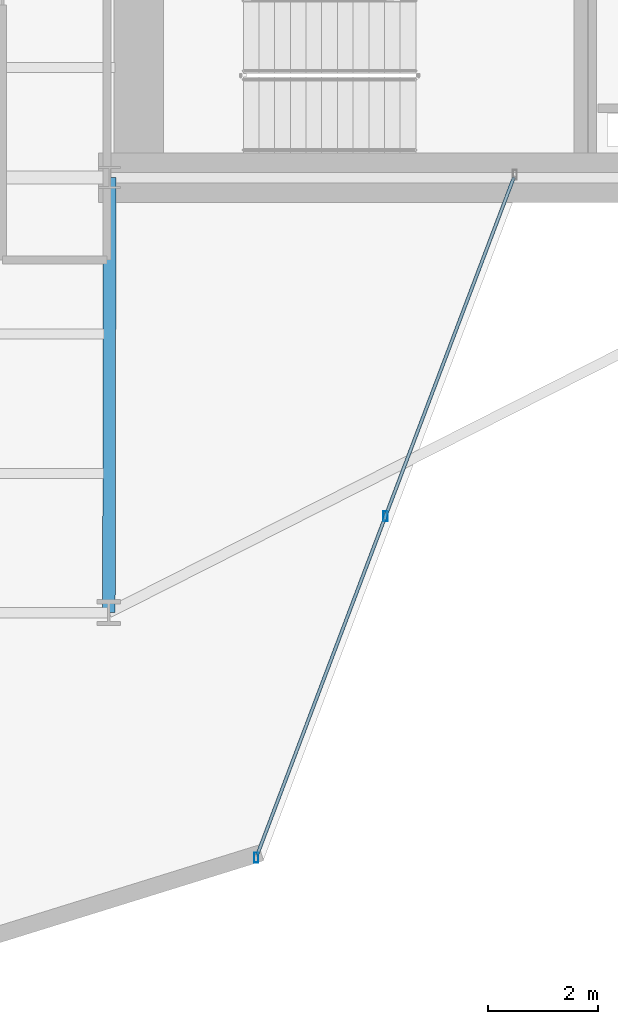
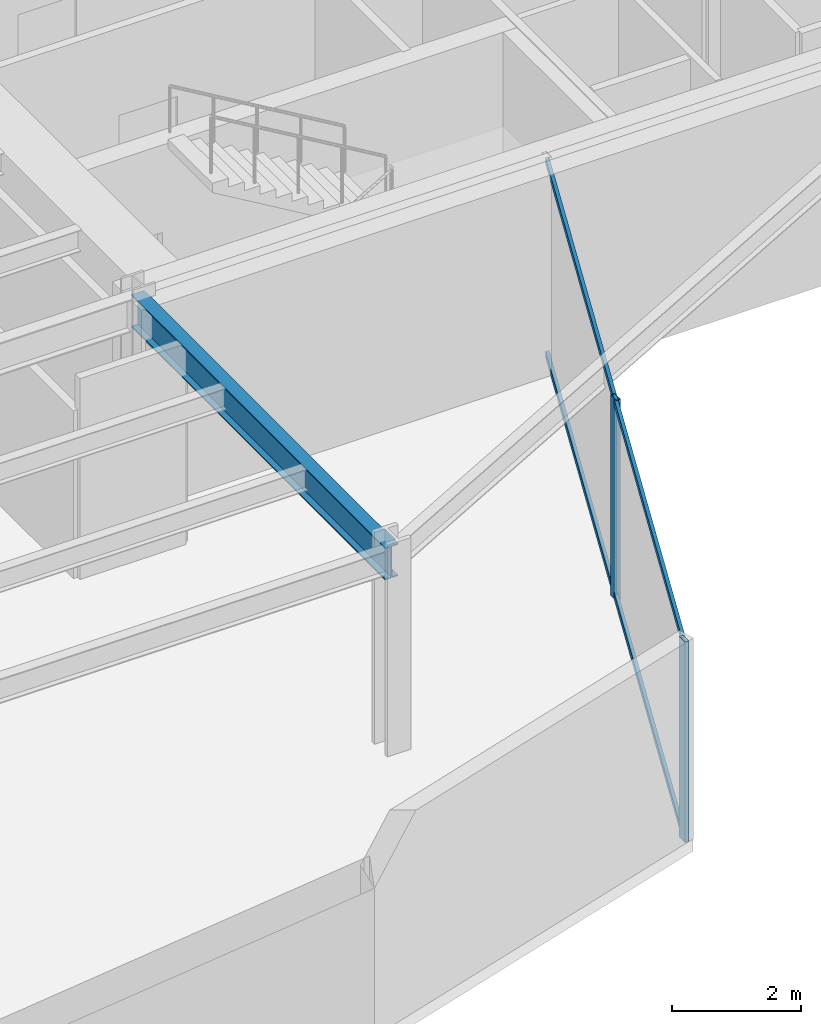
# One storey, part 13 of 29: 4 members, 1 beam, 1 element without a shape of its own.
"""IFC4 building model written with IfcOpenShell, lengths in metres."""

from ifc_helpers import new_model, si_unit, direction, frame, origin, origin_2d, place, context, subcontext, project, spatial, hollow_rectangle, i_section, extrude, material, layer, layer_set, material_profile, profile_set, type_object, element, aggregate, save


model = new_model("IFC4")

# Units and contexts
model_context = context("Model", 3, precision=1e-05, world=origin(), true_north=direction((0.0, 1.0)))
body_context = subcontext(model_context, "Body", "Model", "MODEL_VIEW")
ifc_project = project(units=[si_unit("LENGTHUNIT", "METRE"), si_unit("AREAUNIT", "SQUARE_METRE"), si_unit("VOLUMEUNIT", "CUBIC_METRE"), si_unit("PLANEANGLEUNIT", "RADIAN"), si_unit("MASSUNIT", "GRAM", prefix="KILO")], contexts=[model_context])

# Site, building, storey
site_placement = place(None, origin())
site = spatial("IfcSite", under=ifc_project, at=site_placement, CompositionType="ELEMENT")
building_placement = place(site_placement, origin())
building = spatial("IfcBuilding", under=site, at=building_placement, Name="Veymaron Broadcast Tower", CompositionType="ELEMENT")
storey_placement = place(building_placement, frame((0.0, 0.0, 41.85009765625)))
storey = spatial("IfcBuildingStorey", under=building, at=storey_placement, Name="L08", CompositionType="ELEMENT", Elevation=41.85009765625)

# Beam
ifc_material_1 = material(Name="Structural steel ASTM A992 Gr 50", Category="steel")
ifc_material_profile_1 = material_profile(ifc_material_1, i_section(OverallWidth=0.22998046875, OverallDepth=0.616943359375, WebThickness=0.01318359375, FlangeThickness=0.022216796875, at=origin_2d()), Name="W610X140")
ifc_profile_set_1 = profile_set([ifc_material_profile_1], Name="Structural steel ASTM A992 Gr 50")
beam_type = type_object("IfcBeamType", Name="BM-FG1", PredefinedType="BEAM", material=ifc_profile_set_1)
beam_placement = place(storey_placement, frame((39.0, 16.0, 3.50146484375), z_axis=(-0.001882770823, -0.999998227585, 0.0), x_axis=(0.999998227585, -0.001882770823, 0.0)))
element("IfcBeam", 1, at=beam_placement, inside=storey, type_object=beam_type, Name="L08 primary structural floor girder", PredefinedType="BEAM", context=body_context, shape_type="SweptSolid", body=[
    extrude(i_section(OverallWidth=0.22998046875, OverallDepth=0.616943359375, WebThickness=0.01318359375, FlangeThickness=0.022216796875, at=origin_2d()), origin(), (0.0, 0.0, 1.0), 7.909912109375),
])

# Curtain wall, members
ifc_material_2 = material(Name="Anodised aluminium AA 6063-T6 and laminated low-E dark glass", Category="aluminium")
ifc_layer = layer(ifc_material_2, 0.179931640625)
ifc_layer_set = layer_set([ifc_layer], Name="Anodised aluminium AA 6063-T6 and laminated low-E dark glass")
curtain_wall_type = type_object("IfcCurtainWallType", Name="CW-SYS-02", PredefinedType="NOTDEFINED", material=ifc_layer_set)
curtain_wall_placement = place(storey_placement, origin())
curtain_wall = element("IfcCurtainWall", 2, at=curtain_wall_placement, inside=storey, type_object=curtain_wall_type, Name="L08 dark-glass curtain wall CW-L08-E20-1", PredefinedType="NOTDEFINED")
ifc_material_3 = material(Name="Anodised aluminium AA 6063-T6", Category="aluminium")
ifc_material_profile_2 = material_profile(ifc_material_3, hollow_rectangle(XDim=0.074951171875, YDim=0.179931640625, WallThickness=0.0048828125, at=origin_2d()), Name="AL180X75X5")
ifc_profile_set_2 = profile_set([ifc_material_profile_2], Name="Anodised aluminium AA 6063-T6")
member_type_1 = type_object("IfcMemberType", Name="CW-MUL-02", PredefinedType="MULLION", material=ifc_profile_set_2)
member_1_placement = place(storey_placement, frame((41.663818359375, 3.635498046875, 0.0), z_axis=(0.0, 0.0, 1.0), x_axis=(1.0, 0.0, 0.0)))
member_1 = element("IfcMember", 3, at=member_1_placement, type_object=member_type_1, Name="CW-L08-E20-1 mullion 0", PredefinedType="MULLION", context=body_context, shape_type="SweptSolid", body=[
    extrude(hollow_rectangle(XDim=0.074951171875, YDim=0.179931640625, WallThickness=0.0048828125, at=origin_2d()), origin(), (0.0, 0.0, 1.0), 3.809814453125),
])
member_2_placement = place(storey_placement, frame((44.014892578125, 9.842529296875, 0.0), z_axis=(0.0, 0.0, 1.0), x_axis=(1.0, 0.0, 0.0)))
member_2 = element("IfcMember", 4, at=member_2_placement, type_object=member_type_1, Name="CW-L08-E20-1 mullion 1", PredefinedType="MULLION", context=body_context, shape_type="SweptSolid", body=[
    extrude(hollow_rectangle(XDim=0.074951171875, YDim=0.179931640625, WallThickness=0.0048828125, at=origin_2d()), origin(), (0.0, 0.0, 1.0), 3.809814453125),
])
ifc_material_profile_3 = material_profile(ifc_material_3, hollow_rectangle(XDim=0.06005859375, YDim=0.1201171875, WallThickness=0.00390625, at=origin_2d()), Name="AL120X60X4")
ifc_profile_set_3 = profile_set([ifc_material_profile_3], Name="Anodised aluminium AA 6063-T6")
member_type_2 = type_object("IfcMemberType", Name="CW-TRN-02", PredefinedType="USERDEFINED", material=ifc_profile_set_3)
member_3_placement = place(storey_placement, frame((41.681396484375, 3.682373046875, 0.06982421875), z_axis=(0.354240813024, 0.935154236684, 0.0), x_axis=(-0.935154236684, 0.354240813024, 0.0)))
member_3 = element("IfcMember", 5, at=member_3_placement, type_object=member_type_2, Name="CW-L08-E20-1 transom B", ObjectType="TRANSOM", PredefinedType="USERDEFINED", context=body_context, shape_type="SweptSolid", body=[
    extrude(hollow_rectangle(XDim=0.06005859375, YDim=0.1201171875, WallThickness=0.00390625, at=origin_2d()), origin(), (0.0, 0.0, 1.0), 13.174560546875),
])
member_4_placement = place(storey_placement, frame((41.681396484375, 3.682373046875, 3.739990234375), z_axis=(0.354240813024, 0.935154236684, 0.0), x_axis=(-0.935154236684, 0.354240813024, 0.0)))
member_4 = element("IfcMember", 6, at=member_4_placement, type_object=member_type_2, Name="CW-L08-E20-1 transom T", ObjectType="TRANSOM", PredefinedType="USERDEFINED", context=body_context, shape_type="SweptSolid", body=[
    extrude(hollow_rectangle(XDim=0.06005859375, YDim=0.1201171875, WallThickness=0.00390625, at=origin_2d()), origin(), (0.0, 0.0, 1.0), 13.174560546875),
])
aggregate(curtain_wall, [member_1, member_2, member_3, member_4])

save(model, "model.ifc")
